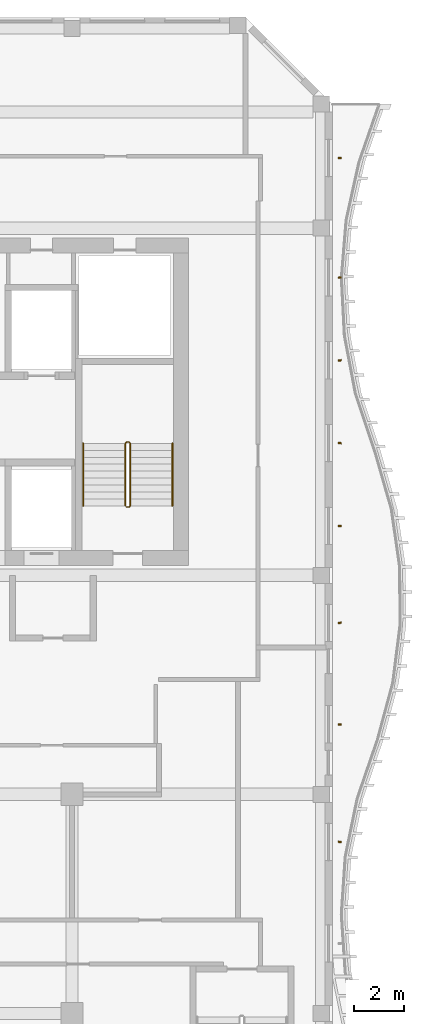
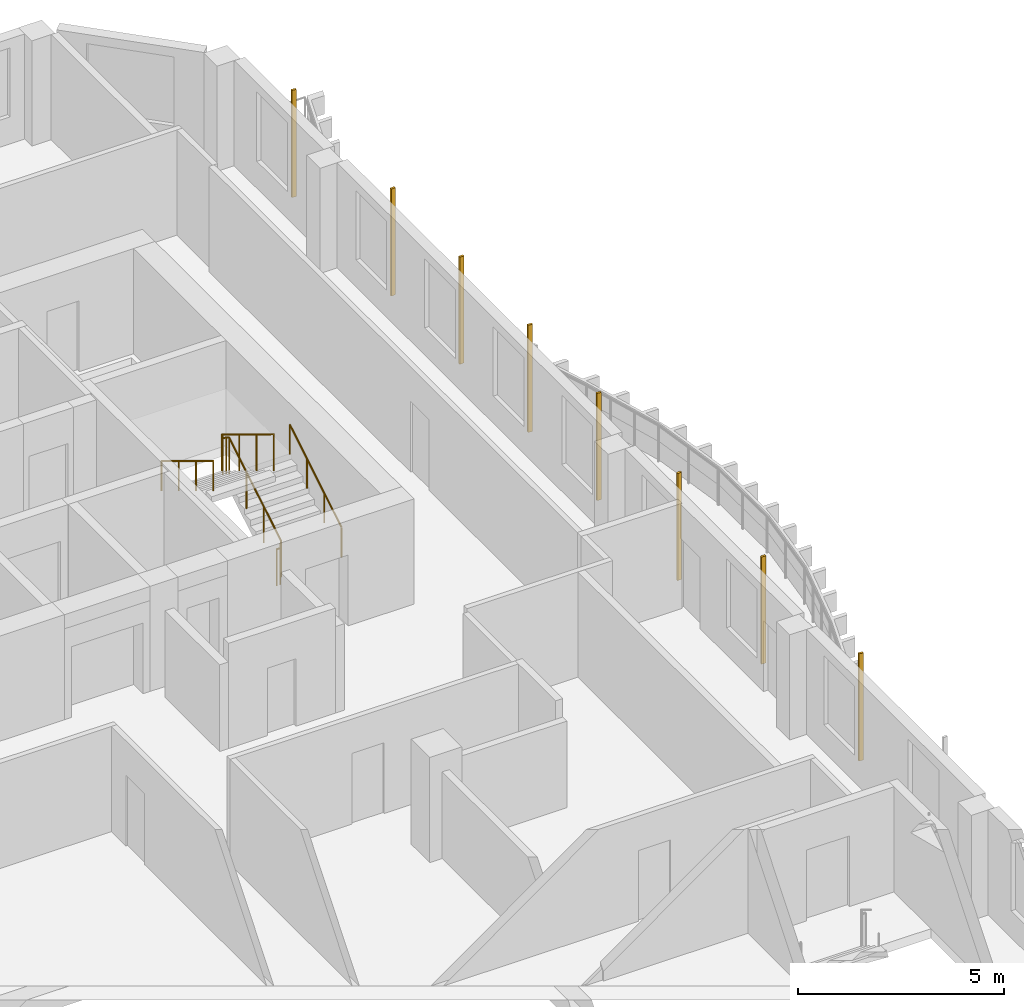
# One storey, part 16 of 16: 8 shading devices, 3 railings.
"""IFC4 building model written with IfcOpenShell, lengths in metres."""

from ifc_helpers import new_model, si_unit, direction, frame, origin, origin_2d, place, context, subcontext, project, spatial, rectangle, circle, extrude, source, transform, mapped, material, material_profile, profile_set, type_object, element, save


model = new_model("IFC4")

# Units and contexts
model_context = context("Model", 3, precision=1e-05, world=origin(), true_north=direction((0.0, 1.0)))
body_context = subcontext(model_context, "Body", "Model", "MODEL_VIEW")
ifc_project = project(units=[si_unit("LENGTHUNIT", "METRE"), si_unit("AREAUNIT", "SQUARE_METRE"), si_unit("VOLUMEUNIT", "CUBIC_METRE"), si_unit("PLANEANGLEUNIT", "RADIAN"), si_unit("MASSUNIT", "GRAM", prefix="KILO")], contexts=[model_context])

# Site, building, storey
site_placement = place(None, origin())
site = spatial("IfcSite", under=ifc_project, at=site_placement, CompositionType="ELEMENT")
building_placement = place(site_placement, origin())
building = spatial("IfcBuilding", under=site, at=building_placement, Name="Kilnfold Tower and Market Hall", CompositionType="ELEMENT")
storey_placement = place(building_placement, frame((0.0, 0.0, 284.0)))
storey = spatial("IfcBuildingStorey", under=building, at=storey_placement, Name="L70", CompositionType="ELEMENT", Elevation=284.0)

# Railings
ifc_material_1 = material(Name="Stainless steel 316", Category="steel")
railing_type_1 = type_object("IfcRailingType", Name="CORE STAIR GUARD 1100", PredefinedType="GUARDRAIL", material=ifc_material_1)
railing_1_placement = place(storey_placement, frame((15.199951171875, 10.75, 0.0)))
element("IfcRailing", 1, at=railing_1_placement, inside=storey, type_object=railing_type_1, Name="L70 ST2 stair guard 1", PredefinedType="GUARDRAIL", context=body_context, shape_type="SweptSolid", body=[
    extrude(circle(Radius=0.02392578125, at=origin_2d()), frame((0.0, 0.0, 1.076171875), z_axis=(1.0, 0.0, 0.0), x_axis=(0.0, 1.0, 0.0)), (0.0, 0.0, 1.0), 0.10009765625),
    extrude(circle(Radius=0.02392578125, at=origin_2d()), frame((0.10009765625, 0.0, 1.076171875), z_axis=(0.271895245746, 0.271895245746, 0.923117517265), x_axis=(-0.707106781187, 0.707106781187, 0.0)), (0.0, 0.0, 1.0), 0.18408203125),
    extrude(circle(Radius=0.02392578125, at=origin_2d()), frame((0.150146484375, 0.050048828125, 1.24609375), z_axis=(0.0, 0.85478489116, 0.518982456201), x_axis=(-1.0, 0.0, 0.0)), (0.0, 0.0, 1.0), 2.9482421875),
    extrude(circle(Radius=0.02392578125, at=origin_2d()), frame((0.150146484375, 2.570068359375, 2.77587890625), z_axis=(-0.707106781187, 0.707106781187, 0.0), x_axis=(-0.707106781187, -0.707106781187, 0.0)), (0.0, 0.0, 1.0), 0.07080078125),
    extrude(circle(Radius=0.02392578125, at=origin_2d()), frame((0.10009765625, 2.6201171875, 2.77587890625), z_axis=(-1.0, 0.0, 0.0), x_axis=(0.0, -1.0, 0.0)), (0.0, 0.0, 1.0), 0.10009765625),
    extrude(circle(Radius=0.02392578125, at=origin_2d()), frame((0.0, 2.6201171875, 2.77587890625), z_axis=(-0.271562723297, -0.271562723297, 0.923313259209), x_axis=(0.707106781187, -0.707106781187, 0.0)), (0.0, 0.0, 1.0), 0.184326171875),
    extrude(circle(Radius=0.02392578125, at=origin_2d()), frame((-0.050048828125, 2.570068359375, 2.9462890625), z_axis=(0.0, -0.854821627497, 0.518921945155), x_axis=(1.0, 0.0, 0.0)), (0.0, 0.0, 1.0), 2.947998046875),
    extrude(circle(Radius=0.02099609375, at=origin_2d()), origin(), (0.0, 0.0, 1.0), 1.052001953125),
    extrude(circle(Radius=0.02099609375, at=origin_2d()), frame((0.10009765625, 0.0, 0.0)), (0.0, 0.0, 1.0), 1.052001953125),
    extrude(circle(Radius=0.02099609375, at=origin_2d()), frame((0.150146484375, 0.050048828125, 0.169921875)), (0.0, 0.0, 1.0), 1.052001953125),
    extrude(circle(Radius=0.02099609375, at=origin_2d()), frame((0.150146484375, 0.89013671875, 0.679931640625)), (0.0, 0.0, 1.0), 1.052001953125),
    extrude(circle(Radius=0.02099609375, at=origin_2d()), frame((0.150146484375, 1.72998046875, 1.18994140625)), (0.0, 0.0, 1.0), 1.052001953125),
    extrude(circle(Radius=0.02099609375, at=origin_2d()), frame((0.150146484375, 2.570068359375, 1.699951171875)), (0.0, 0.0, 1.0), 1.052001953125),
    extrude(circle(Radius=0.02099609375, at=origin_2d()), frame((0.10009765625, 2.6201171875, 1.699951171875)), (0.0, 0.0, 1.0), 1.052001953125),
    extrude(circle(Radius=0.02099609375, at=origin_2d()), frame((0.0, 2.6201171875, 1.699951171875)), (0.0, 0.0, 1.0), 1.052001953125),
    extrude(circle(Radius=0.02099609375, at=origin_2d()), frame((-0.050048828125, 2.570068359375, 1.8701171875)), (0.0, 0.0, 1.0), 1.052001953125),
    extrude(circle(Radius=0.02099609375, at=origin_2d()), frame((-0.050048828125, 1.72998046875, 2.380126953125)), (0.0, 0.0, 1.0), 1.052001953125),
    extrude(circle(Radius=0.02099609375, at=origin_2d()), frame((-0.050048828125, 0.89013671875, 2.889892578125)), (0.0, 0.0, 1.0), 1.052001953125),
    extrude(circle(Radius=0.02099609375, at=origin_2d()), frame((-0.050048828125, 0.050048828125, 3.39990234375)), (0.0, 0.0, 1.0), 1.052001953125),
])
ifc_material_2 = material(Name="Stainless steel 316", Category="steel")
railing_type_2 = type_object("IfcRailingType", Name="CORE STAIR HANDRAIL 900", PredefinedType="HANDRAIL", material=ifc_material_2)
railing_2_placement = place(storey_placement, frame((17.050048828125, 10.800048828125, 0.169921875)))
element("IfcRailing", 2, at=railing_2_placement, inside=storey, type_object=railing_type_2, Name="L70 ST2 stair handrail 1", PredefinedType="HANDRAIL", context=body_context, shape_type="SweptSolid", body=[
    extrude(circle(Radius=0.02392578125, at=origin_2d()), frame((0.0, 0.0, 0.8759765625), z_axis=(0.0, 0.85478489116, 0.518982456201), x_axis=(-1.0, 0.0, 0.0)), (0.0, 0.0, 1.0), 2.9482421875),
    extrude(circle(Radius=0.02099609375, at=origin_2d()), origin(), (0.0, 0.0, 1.0), 0.851806640625),
    extrude(circle(Radius=0.02099609375, at=origin_2d()), frame((0.0, 0.840087890625, 0.510009765625)), (0.0, 0.0, 1.0), 0.851806640625),
    extrude(circle(Radius=0.02099609375, at=origin_2d()), frame((0.0, 1.679931640625, 1.02001953125)), (0.0, 0.0, 1.0), 0.851806640625),
    extrude(circle(Radius=0.02099609375, at=origin_2d()), frame((0.0, 2.52001953125, 1.530029296875)), (0.0, 0.0, 1.0), 0.851806640625),
])
railing_3_placement = place(storey_placement, frame((13.449951171875, 13.320068359375, 1.8701171875)))
element("IfcRailing", 3, at=railing_3_placement, inside=storey, type_object=railing_type_2, Name="L70 ST2 stair handrail 2", PredefinedType="HANDRAIL", context=body_context, shape_type="SweptSolid", body=[
    extrude(circle(Radius=0.02392578125, at=origin_2d()), frame((0.0, 0.0, 0.8759765625), z_axis=(0.0, -0.854821627497, 0.518921945155), x_axis=(1.0, 0.0, 0.0)), (0.0, 0.0, 1.0), 2.947998046875),
    extrude(circle(Radius=0.02099609375, at=origin_2d()), origin(), (0.0, 0.0, 1.0), 0.851806640625),
    extrude(circle(Radius=0.02099609375, at=origin_2d()), frame((0.0, -0.840087890625, 0.510009765625)), (0.0, 0.0, 1.0), 0.851806640625),
    extrude(circle(Radius=0.02099609375, at=origin_2d()), frame((0.0, -1.679931640625, 1.019775390625)), (0.0, 0.0, 1.0), 0.851806640625),
    extrude(circle(Radius=0.02099609375, at=origin_2d()), frame((0.0, -2.52001953125, 1.52978515625)), (0.0, 0.0, 1.0), 0.851806640625),
])

# Shading devices
ifc_material_3 = material(Name="Terracotta", Category="masonry")
ifc_material_profile = material_profile(ifc_material_3, rectangle(XDim=0.06005859375, YDim=0.1201171875, at=origin_2d()), Name="BAG 60x120")
ifc_profile_set = profile_set([ifc_material_profile], Name="Terracotta")
shading_device_type = type_object("IfcShadingDeviceType", Name="BAGUETTE", PredefinedType="USERDEFINED", material=ifc_profile_set)
shared_shape = source(origin(), body_context, "Body", "SweptSolid", [
    extrude(rectangle(XDim=0.06005859375, YDim=0.1201171875, at=origin_2d()), origin(), (0.0, 0.0, 1.0), 3.179931640625),
])
for number, where, z_axis, x_axis, name in (
    (4, (23.800048828125, -2.75, 0.0), (0.0, 0.0, 1.0), (0.127637608736, 0.991820871345, 0.0), "Terracotta baguette L70 E"),
    (5, (23.800048828125, 1.99169921875, 0.0), (0.0, 0.0, 1.0), (-0.020319469968, 0.999793538257, 0.0), "Terracotta baguette L70 E"),
    (6, (23.800048828125, 6.083251953125, 0.0), (0.0, 0.0, 1.0), (-0.127618567118, 0.991823321629, 0.0), "Terracotta baguette L70 E"),
    (7, (23.800048828125, 9.99365234375, 0.0), (0.0, 0.0, 1.0), (0.078271179845, 0.996932105214, 0.0), "Terracotta baguette L70 E"),
    (8, (23.800048828125, 13.331298828125, 0.0), (0.0, 0.0, 1.0), (0.120677419786, 0.992691775101, 0.0), "Terracotta baguette L70 E"),
    (9, (23.800048828125, 16.668701171875, 0.0), (0.0, 0.0, 1.0), (-0.060684442044, 0.998157000924, 0.0), "Terracotta baguette L70 E"),
    (10, (23.800048828125, 20.006103515625, 0.0), (0.0, 0.0, 1.0), (-0.12945673071, 0.99158507193, 0.0), "Terracotta baguette L70 E"),
    (11, (23.800048828125, 24.824951171875, 0.0), (0.0, 0.0, 1.0), (0.114831390326, 0.993384996764, 0.0), "Terracotta baguette L70 E"),
):
    element("IfcShadingDevice", number, at=place(storey_placement, frame(where, z_axis=z_axis, x_axis=x_axis)), inside=storey, type_object=shading_device_type, Name=name, ObjectType="BAGUETTE", PredefinedType="USERDEFINED", context=body_context, shape_type="MappedRepresentation", body=[
        mapped(shared_shape, transform((0.0, 0.0, 0.0))),
    ])

save(model, "model.ifc")
